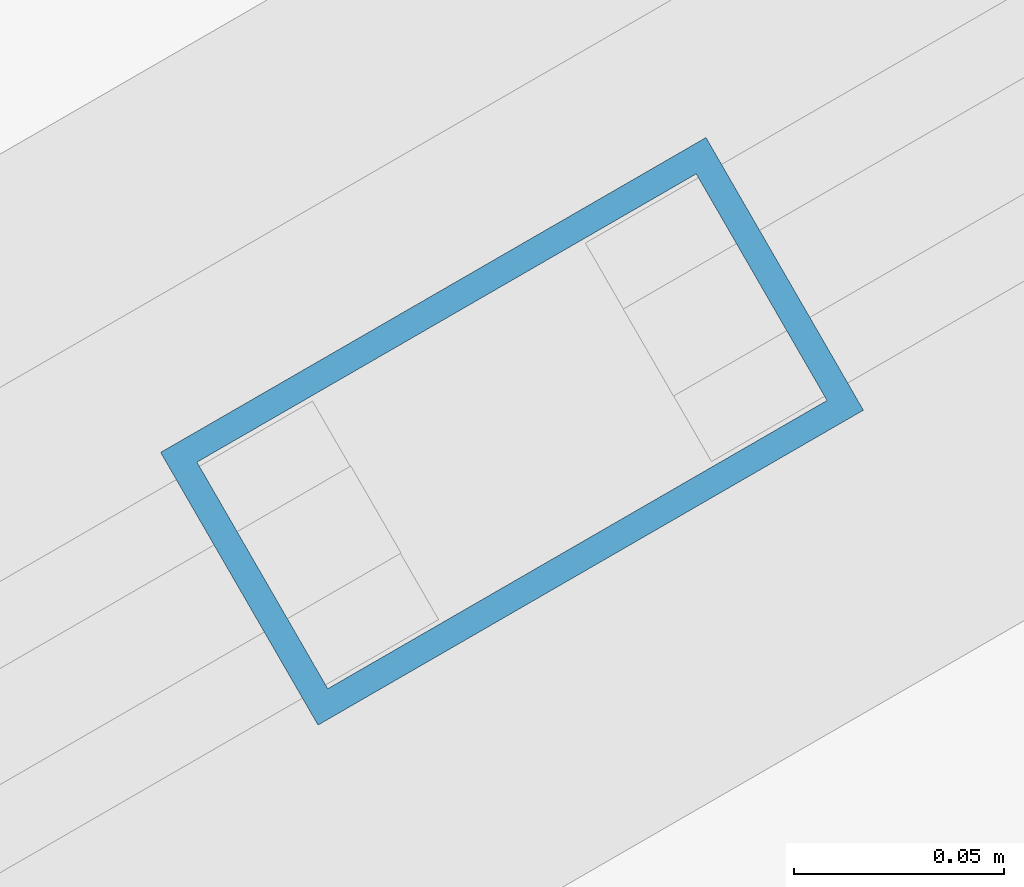
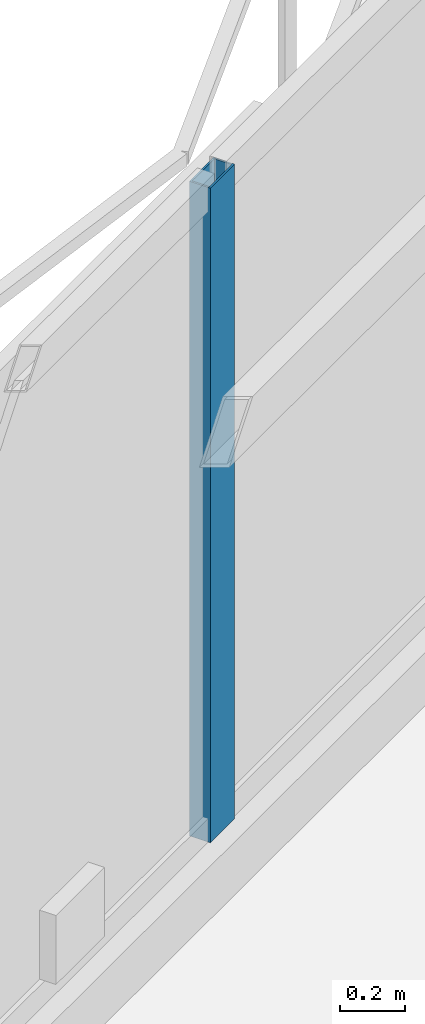
# One storey, part 11 of 22: 1 member, 1 element without a shape of its own.
"""IFC4 building model written with IfcOpenShell, lengths in metres."""

from ifc_helpers import new_model, si_unit, direction, frame, origin, origin_2d, place, context, subcontext, project, spatial, hollow_rectangle, extrude, material, layer, layer_set, material_profile, profile_set, type_object, element, aggregate, save


model = new_model("IFC4")

# Units and contexts
model_context = context("Model", 3, precision=1e-05, world=origin(), true_north=direction((0.0, 1.0)))
body_context = subcontext(model_context, "Body", "Model", "MODEL_VIEW")
ifc_project = project(units=[si_unit("LENGTHUNIT", "METRE"), si_unit("AREAUNIT", "SQUARE_METRE"), si_unit("VOLUMEUNIT", "CUBIC_METRE"), si_unit("PLANEANGLEUNIT", "RADIAN"), si_unit("MASSUNIT", "GRAM", prefix="KILO")], contexts=[model_context])

# Site, building, storey
site_placement = place(None, origin())
site = spatial("IfcSite", under=ifc_project, at=site_placement, CompositionType="ELEMENT")
building_placement = place(site_placement, origin())
building = spatial("IfcBuilding", under=site, at=building_placement, Name="Mersakhor Tower and Convention Hall", CompositionType="ELEMENT")
storey_placement = place(building_placement, frame((0.0, 0.0, 83.39990234375)))
storey = spatial("IfcBuildingStorey", under=building, at=storey_placement, Name="L22", CompositionType="ELEMENT", Elevation=83.39990234375)

# Curtain wall, member
ifc_material_1 = material(Name="Dark solar low-E aluminium curtain wall", Category="aluminium")
ifc_layer = layer(ifc_material_1, 0.159912109375)
ifc_layer_set = layer_set([ifc_layer], Name="Dark solar low-E aluminium curtain wall")
curtain_wall_type = type_object("IfcCurtainWallType", Name="CW-SYS-01", PredefinedType="USERDEFINED", material=ifc_layer_set)
curtain_wall_placement = place(storey_placement, origin())
curtain_wall = element("IfcCurtainWall", 1, at=curtain_wall_placement, inside=storey, type_object=curtain_wall_type, Name="L22 Dark-Glass Curtain Wall F1-B2", ObjectType="CURTAIN WALL", PredefinedType="USERDEFINED")
ifc_material_2 = material(Name="Anodised aluminium EN AW-6063 T6", Category="aluminium")
ifc_material_profile = material_profile(ifc_material_2, hollow_rectangle(XDim=0.074951171875, YDim=0.14990234375, WallThickness=0.00634765625, at=origin_2d()), Name="RHS 150x75x6.3")
ifc_profile_set = profile_set([ifc_material_profile], Name="Anodised aluminium EN AW-6063 T6")
member_type = type_object("IfcMemberType", Name="CWM-150x75", PredefinedType="MULLION", material=ifc_profile_set)
member_placement = place(storey_placement, frame((20.36181640625, 37.968505859375, 0.2001953125), z_axis=(0.0, 0.0, 1.0), x_axis=(-0.499997904985, 0.866026613339, 0.0)))
member = element("IfcMember", 2, at=member_placement, type_object=member_type, Name="CW-01 mullion 2", PredefinedType="MULLION", context=body_context, shape_type="SweptSolid", body=[
    extrude(hollow_rectangle(XDim=0.074951171875, YDim=0.14990234375, WallThickness=0.00634765625, at=origin_2d()), origin(), (0.0, 0.0, 1.0), 2.469970703125),
])
aggregate(curtain_wall, [member])

save(model, "model.ifc")
